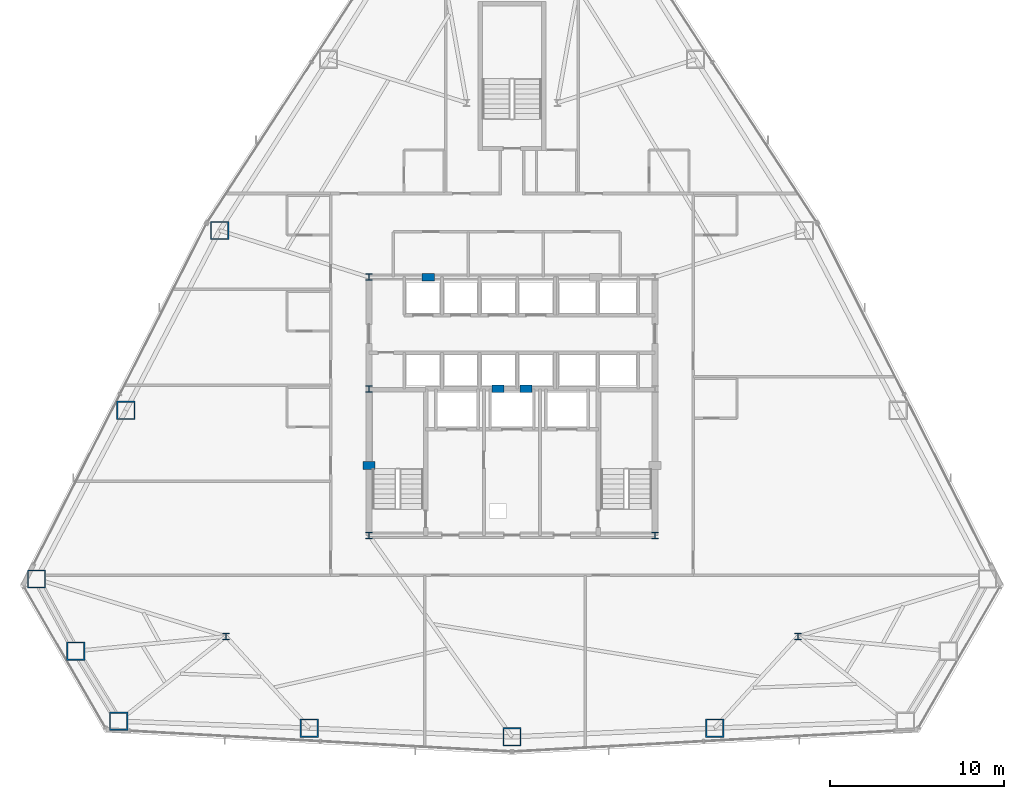
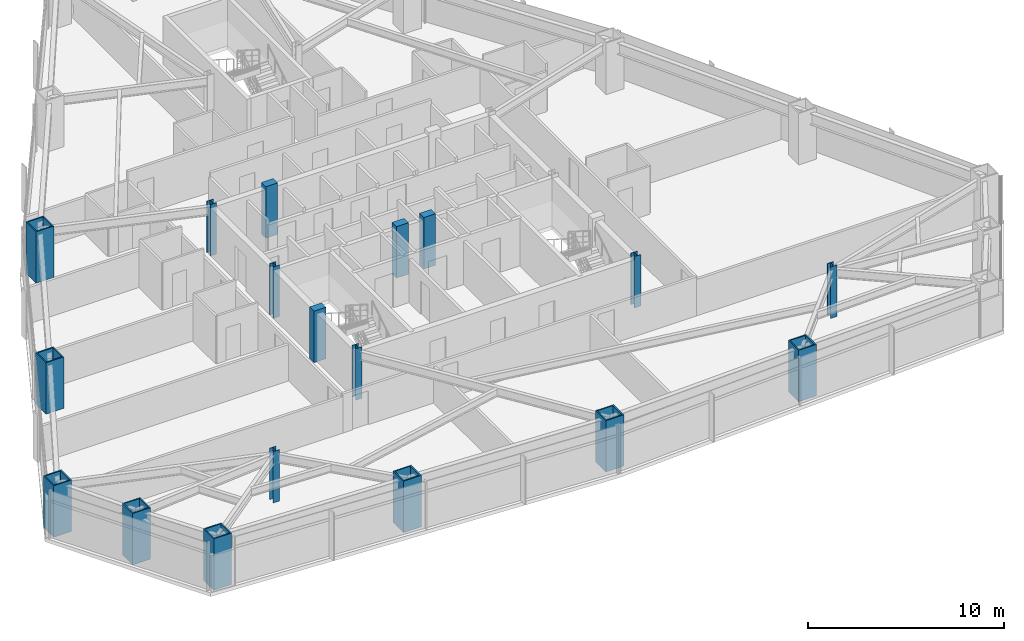
# One storey, part 1 of 12: 18 columns.
"""IFC4 building model written with IfcOpenShell, lengths in metres."""

import ifcopenshell
import ifcopenshell.guid

model = None  # the IFC model being written
_history = None  # IfcOwnerHistory: only IFC2X3 demands one
_inside = {}  # id of a spatial element -> (the spatial element, [elements in it])
_under = {}  # id of a project, library or spatial element -> (it, [spatial elements below it])
_declared = {}  # id of a project -> (the project, [libraries it declares])
_typed = {}  # id of a type object -> (the type object, [elements of that type])
_made_of = {}  # id of a material, layer set ... -> (it, [elements and type objects made of it])


def new_model(schema):
    """Start an empty IFC model of exactly this schema.

    Asked for "IFC4X3", IfcOpenShell would pick the latest addendum, in which some entities
    have other attributes; the version numbers below select the first issue.
    IFC2X3 requires an IfcOwnerHistory on every rooted entity: one is made here for all.
    """
    global model, _history
    if schema == "IFC4X3":
        model = ifcopenshell.file(schema_version=(4, 3, 0, 0))
    else:
        model = ifcopenshell.file(schema=schema)
    _inside.clear()
    _under.clear()
    _declared.clear()
    _typed.clear()
    _made_of.clear()
    _history = None
    if model.schema == "IFC2X3":
        org = make("IfcOrganization", Name="unknown")
        user = make(
            "IfcPersonAndOrganization",
            ThePerson=make("IfcPerson", FamilyName="unknown"),
            TheOrganization=org,
        )
        app = make(
            "IfcApplication",
            ApplicationDeveloper=org,
            Version="unknown",
            ApplicationFullName="unknown",
            ApplicationIdentifier="unknown",
        )
        _history = make(
            "IfcOwnerHistory",
            OwningUser=user,
            OwningApplication=app,
            ChangeAction="ADDED",
            CreationDate=0,
        )
    return model


def make(cls, **values):
    """One entity of the class cls with the attributes given. An attribute that is None is left unset."""
    return model.create_entity(
        cls, **{name: value for name, value in values.items() if value is not None}
    )


def rooted(cls, **values):
    """An entity with a GlobalId (a new one), such as an element, a storey or a relation."""
    return make(cls, GlobalId=ifcopenshell.guid.new(), OwnerHistory=_history, **values)


def si_unit(unit_type, name, prefix=None):
    """IfcSIUnit, for example si_unit("LENGTHUNIT", "METRE", prefix="MILLI")."""
    return make("IfcSIUnit", UnitType=unit_type, Prefix=prefix, Name=name)


def assignment(units):
    """IfcUnitAssignment: the units of a project."""
    return None if units is None else make("IfcUnitAssignment", Units=units)


def point(xyz):
    """IfcCartesianPoint."""
    return None if xyz is None else make("IfcCartesianPoint", Coordinates=xyz)


def direction(xyz):
    """IfcDirection."""
    return None if xyz is None else make("IfcDirection", DirectionRatios=xyz)


def frame(location, z_axis=None, x_axis=None):
    """IfcAxis2Placement3D, a coordinate frame: its origin and axes. An axis left out is left unset."""
    return make(
        "IfcAxis2Placement3D",
        Location=point(location),
        Axis=direction(z_axis),
        RefDirection=direction(x_axis),
    )


def frame_2d(location, x_axis=None):
    """IfcAxis2Placement2D, a coordinate frame in the plane: its origin and x axis."""
    return make(
        "IfcAxis2Placement2D", Location=point(location), RefDirection=direction(x_axis)
    )


def origin():
    """The frame at (0, 0, 0) with its axes left unset."""
    return frame((0.0, 0.0, 0.0))


def origin_2d():
    """The frame at (0, 0) in the plane with its x axis left unset."""
    return frame_2d((0.0, 0.0))


def place(relative_to, where):
    """IfcLocalPlacement: puts the frame where relative to a parent placement (None: the world)."""
    return make(
        "IfcLocalPlacement", PlacementRelTo=relative_to, RelativePlacement=where
    )


def context(
    kind, dimensions, precision=None, world=None, true_north=None, identifier=None
):
    """IfcGeometricRepresentationContext, for example the 3D "Model" context."""
    return make(
        "IfcGeometricRepresentationContext",
        ContextIdentifier=identifier,
        ContextType=kind,
        CoordinateSpaceDimension=dimensions,
        Precision=precision,
        WorldCoordinateSystem=world,
        TrueNorth=true_north,
    )


def subcontext(parent, identifier, kind, view, scale=None):
    """IfcGeometricRepresentationSubContext, for example "Body" below "Model"."""
    return make(
        "IfcGeometricRepresentationSubContext",
        ContextIdentifier=identifier,
        ContextType=kind,
        ParentContext=parent,
        TargetScale=scale,
        TargetView=view,
    )


def project(units=None, contexts=None):
    """IfcProject with its units and contexts."""
    return rooted(
        "IfcProject",
        Name="project",
        RepresentationContexts=contexts,
        UnitsInContext=assignment(units),
    )


def spatial(cls, under=None, at=None, **own):
    """A site, building, storey or space (cls), placed at a placement, below another one or the project."""
    s = rooted(cls, ObjectPlacement=at, **own)
    if under is not None:
        _under.setdefault(under.id(), (under, []))[1].append(s)
    return s


def profile(cls, at=None, kind="AREA", **sizes):
    """A parametric profile (cls). Its sizes go by their IFC names, for example OverallWidth=200.0."""
    return make(cls, ProfileType=kind, Position=at, **sizes)


def rectangle(**sizes):
    """IfcRectangleProfileDef."""
    return profile("IfcRectangleProfileDef", **sizes)


def hollow_rectangle(**sizes):
    """IfcRectangleHollowProfileDef."""
    return profile("IfcRectangleHollowProfileDef", **sizes)


def i_section(**sizes):
    """IfcIShapeProfileDef."""
    return profile("IfcIShapeProfileDef", **sizes)


def extrude(swept, where, along, depth):
    """IfcExtrudedAreaSolid: the profile swept, set in the frame where, extruded along a direction by depth."""
    return make(
        "IfcExtrudedAreaSolid",
        SweptArea=swept,
        Position=where,
        ExtrudedDirection=direction(along),
        Depth=depth,
    )


def shape(context_of_items, identifier, shape_type, items):
    """IfcShapeRepresentation: the items that make up one representation, for example the "Body"."""
    return make(
        "IfcShapeRepresentation",
        ContextOfItems=context_of_items,
        RepresentationIdentifier=identifier,
        RepresentationType=shape_type,
        Items=items,
    )


def material(Name=None, Category=None):
    """IfcMaterial."""
    return make("IfcMaterial", Name=Name, Category=Category)


def material_profile(
    of_material, cross_section, Name=None, Category=None, Priority=None
):
    """IfcMaterialProfile: a cross section and its material."""
    return make(
        "IfcMaterialProfile",
        Name=Name,
        Material=of_material,
        Profile=cross_section,
        Priority=Priority,
        Category=Category,
    )


def profile_set(profiles, Name=None, composite=None):
    """IfcMaterialProfileSet."""
    return make(
        "IfcMaterialProfileSet",
        Name=Name,
        MaterialProfiles=profiles,
        CompositeProfile=composite,
    )


def made_of(thing, what):
    """Note that an element or type object is made of a material, layer set ...; save() writes the relation."""
    if what is not None:
        _made_of.setdefault(what.id(), (what, []))[1].append(thing)
    return thing


def type_object(cls, material=None, **own):
    """A type object (cls), such as IfcWallType, which elements share."""
    return made_of(rooted(cls, **own), material)


def element(
    cls,
    number,
    at=None,
    inside=None,
    cuts=None,
    type_object=None,
    material=None,
    context=None,
    identifier="Body",
    shape_type=None,
    held_by="IfcProductDefinitionShape",
    body=None,
    shapes=None,
    **own,
):
    """One element of the class cls, such as IfcWall. Its Tag is "e" and its number.

    at: its placement. inside: the storey or other place that contains it. cuts: it is an
    opening in that element (IfcRelVoidsElement). A single representation is given by context,
    identifier, shape_type and body (its items); several are given by shapes. held_by: the class
    of the entity that holds the representations. save() writes the other relations.
    """
    e = rooted(cls, Tag="e%d" % number, ObjectPlacement=at, **own)
    if body is not None:
        shapes = [shape(context, identifier, shape_type, body)]
    if shapes is not None:
        e.Representation = make(held_by, Representations=shapes)
    if inside is not None:
        _inside.setdefault(inside.id(), (inside, []))[1].append(e)
    if cuts is not None:
        rooted(
            "IfcRelVoidsElement", RelatingBuildingElement=cuts, RelatedOpeningElement=e
        )
    if type_object is not None:
        _typed.setdefault(type_object.id(), (type_object, []))[1].append(e)
    return made_of(e, material)


def aggregate(whole, parts):
    """IfcRelAggregates: a whole, such as a stair, and the parts it consists of."""
    return rooted("IfcRelAggregates", RelatingObject=whole, RelatedObjects=parts)


def save(model, path):
    """Write the relations noted so far, then the file.

    IfcRelAggregates (storeys below a building ...), IfcRelContainedInSpatialStructure (elements
    in a storey), IfcRelDefinesByType, IfcRelAssociatesMaterial and IfcRelDeclares: one each for
    every whole, place, type object, material and project.
    """
    for whole, parts in _under.values():
        aggregate(whole, parts)
    for where, things in _inside.values():
        rooted(
            "IfcRelContainedInSpatialStructure",
            RelatedElements=things,
            RelatingStructure=where,
        )
    for kind, things in _typed.values():
        rooted("IfcRelDefinesByType", RelatedObjects=things, RelatingType=kind)
    for what, things in _made_of.values():
        rooted("IfcRelAssociatesMaterial", RelatedObjects=things, RelatingMaterial=what)
    for by, libraries in _declared.values():
        rooted("IfcRelDeclares", RelatingContext=by, RelatedDefinitions=libraries)
    model.write(path)


model = new_model("IFC4")

# Units and contexts
model_context = context("Model", 3, precision=1e-05, world=origin(), true_north=direction((0.0, 1.0)))
body_context = subcontext(model_context, "Body", "Model", "MODEL_VIEW")
ifc_project = project(units=[si_unit("LENGTHUNIT", "METRE"), si_unit("AREAUNIT", "SQUARE_METRE"), si_unit("VOLUMEUNIT", "CUBIC_METRE"), si_unit("PLANEANGLEUNIT", "RADIAN"), si_unit("MASSUNIT", "GRAM", prefix="KILO")], contexts=[model_context])

# Site, building, storey
site_placement = place(None, origin())
site = spatial("IfcSite", under=ifc_project, at=site_placement, CompositionType="ELEMENT")
building_placement = place(site_placement, origin())
building = spatial("IfcBuilding", under=site, at=building_placement, Name="Varakhsha Concourse Tower", CompositionType="ELEMENT")
storey_placement = place(building_placement, frame((0.0, 0.0, 73.39990234375)))
storey = spatial("IfcBuildingStorey", under=building, at=storey_placement, Name="L20", CompositionType="ELEMENT", Elevation=73.39990234375)

# Columns
ifc_material_1 = material(Name="Structural Steel ASTM A992 Grade 50", Category="steel")
ifc_material_profile_1 = material_profile(ifc_material_1, i_section(OverallWidth=0.3740234375, OverallDepth=0.3720703125, WebThickness=0.01611328125, FlangeThickness=0.02587890625, at=origin_2d()), Name="W14X132")
ifc_profile_set_1 = profile_set([ifc_material_profile_1], Name="Structural Steel ASTM A992 Grade 50")
column_type_1 = type_object("IfcColumnType", Name="CL-CORE-W14X132", PredefinedType="COLUMN", material=ifc_profile_set_1)
for number, where, z_axis, x_axis, name in (
    (1, (31.800048828125, 16.39990234375, 0.0), (0.0, 0.0, 1.0), (1.0, 0.0, 0.0), "L20 Core Column CC-SW"),
    (2, (48.199951171875, 16.39990234375, 0.0), (0.0, 0.0, 1.0), (1.0, 0.0, 0.0), "L20 Core Column CC-SE"),
    (3, (31.800048828125, 24.800048828125, 0.0), (0.0, 0.0, 1.0), (1.0, 0.0, 0.0), "L20 Core Column CC-MW"),
    (4, (31.800048828125, 31.199951171875, 0.0), (0.0, 0.0, 1.0), (1.0, 0.0, 0.0), "L20 Core Column CC-NW"),
    (5, (23.60009765625, 10.60009765625, 0.0), (0.0, 0.0, 1.0), (1.0, 0.0, 0.0), "L20 Core Column SS-W"),
    (6, (56.39990234375, 10.60009765625, 0.0), (0.0, 0.0, 1.0), (1.0, 0.0, 0.0), "L20 Core Column SS-E"),
):
    element("IfcColumn", number, at=place(storey_placement, frame(where, z_axis=z_axis, x_axis=x_axis)), inside=storey, type_object=column_type_1, Name=name, PredefinedType="COLUMN", context=body_context, shape_type="SweptSolid", body=[
        extrude(i_section(OverallWidth=0.3740234375, OverallDepth=0.3720703125, WebThickness=0.01611328125, FlangeThickness=0.02587890625, at=origin_2d()), origin(), (0.0, 0.0, 1.0), 3.2001953125),
    ])
ifc_material_2 = material(Name="Concrete fc 65 MPa", Category="concrete")
ifc_material_profile_2 = material_profile(ifc_material_2, rectangle(XDim=0.699951171875, YDim=0.449951171875, at=origin_2d()), Name="RC 700x450")
ifc_profile_set_2 = profile_set([ifc_material_profile_2], Name="Concrete fc 65 MPa")
column_type_2 = type_object("IfcColumnType", Name="CL-PIL-700X450", PredefinedType="PILASTER", material=ifc_profile_set_2)
for number, where, z_axis, x_axis, name in (
    (7, (31.800048828125, 20.39990234375, 0.0), (0.0, 0.0, 1.0), (1.0, 0.0, 0.0), "L20 Core Boundary Pilaster PIL-W1"),
    (8, (35.199951171875, 31.199951171875, 0.0), (0.0, 0.0, 1.0), (1.0, 0.0, 0.0), "L20 Core Boundary Pilaster PIL-N1"),
    (9, (39.199951171875, 24.800048828125, 0.0), (0.0, 0.0, 1.0), (1.0, 0.0, 0.0), "L20 Core Boundary Pilaster PIL-M1"),
    (10, (40.800048828125, 24.800048828125, 0.0), (0.0, 0.0, 1.0), (1.0, 0.0, 0.0), "L20 Core Boundary Pilaster PIL-M2"),
):
    element("IfcColumn", number, at=place(storey_placement, frame(where, z_axis=z_axis, x_axis=x_axis)), inside=storey, type_object=column_type_2, Name=name, PredefinedType="PILASTER", context=body_context, shape_type="SweptSolid", body=[
        extrude(rectangle(XDim=0.699951171875, YDim=0.449951171875, at=origin_2d()), origin(), (0.0, 0.0, 1.0), 3.2001953125),
    ])
ifc_material_3 = material(Name="Structural Steel ASTM A572 Grade 50", Category="steel")
ifc_material_profile_3 = material_profile(ifc_material_3, hollow_rectangle(XDim=1.050048828125, YDim=1.050048828125, WallThickness=0.070068359375, at=origin_2d()), Name="BOX 1050x1050x70")
ifc_profile_set_3 = profile_set([ifc_material_profile_3], Name="Structural Steel ASTM A572 Grade 50")
column_type_3 = type_object("IfcColumnType", Name="CL-TUBE-1050", PredefinedType="COLUMN", material=ifc_profile_set_3)
for number, where, z_axis, x_axis, name in (
    (11, (23.237060546875, 33.878173828125, 0.0), (0.0, 0.0, 1.0), (1.0, 0.0, 0.0), "L20 Framed-Tube Column TC05"),
    (12, (17.85986328125, 23.562744140625, 0.0), (0.0, 0.0, 1.0), (1.0, 0.0, 0.0), "L20 Framed-Tube Column TC06"),
    (13, (12.73583984375, 13.8955078125, 0.0), (0.0, 0.0, 1.0), (1.0, 0.0, 0.0), "L20 Framed-Tube Column TC07"),
    (14, (14.987060546875, 9.7587890625, 0.0), (0.0, 0.0, 1.0), (1.0, 0.0, 0.0), "L20 Framed-Tube Column TC08"),
    (15, (17.44384765625, 5.740966796875, 0.0), (0.0, 0.0, 1.0), (1.0, 0.0, 0.0), "L20 Framed-Tube Column TC09"),
    (16, (28.378173828125, 5.344482421875, 0.0), (0.0, 0.0, 1.0), (1.0, 0.0, 0.0), "L20 Framed-Tube Column TC10"),
    (17, (40.0, 4.84375, 0.0), (0.0, 0.0, 1.0), (1.0, 0.0, 0.0), "L20 Framed-Tube Column TC11"),
    (18, (51.621826171875, 5.344482421875, 0.0), (0.0, 0.0, 1.0), (1.0, 0.0, 0.0), "L20 Framed-Tube Column TC12"),
):
    element("IfcColumn", number, at=place(storey_placement, frame(where, z_axis=z_axis, x_axis=x_axis)), inside=storey, type_object=column_type_3, Name=name, PredefinedType="COLUMN", context=body_context, shape_type="SweptSolid", body=[
        extrude(hollow_rectangle(XDim=1.050048828125, YDim=1.050048828125, WallThickness=0.070068359375, at=origin_2d()), origin(), (0.0, 0.0, 1.0), 3.2001953125),
    ])

save(model, "model.ifc")
